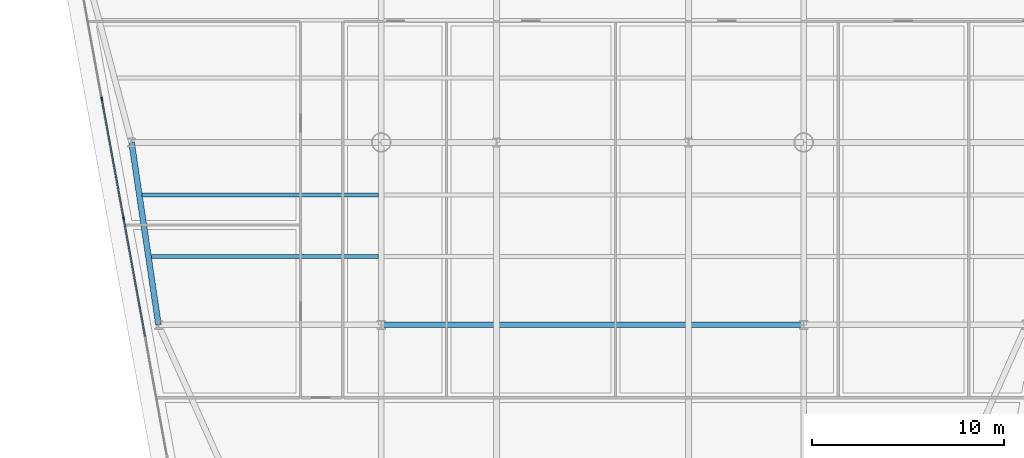
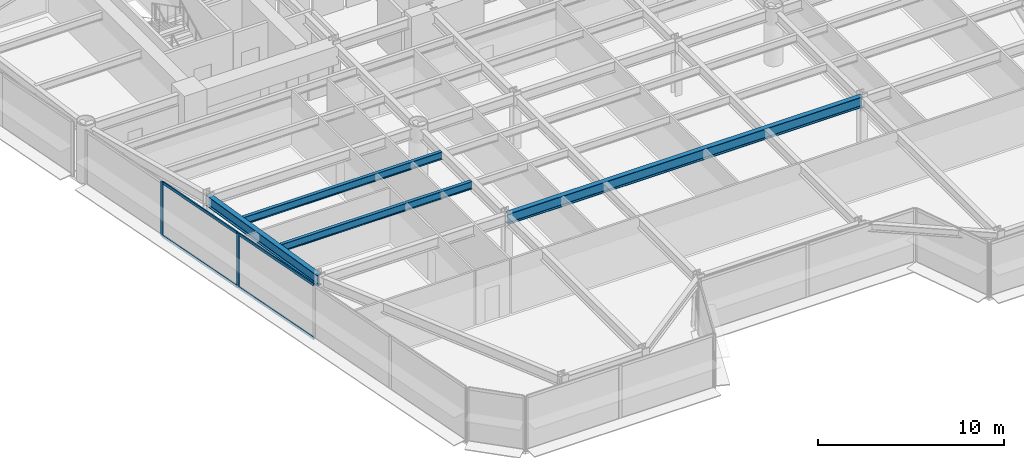
# One storey, part 3 of 15: 6 members, 4 beams, 1 element without a shape of its own.
"""IFC4 building model written with IfcOpenShell, lengths in metres."""

from ifc_helpers import new_model, si_unit, direction, frame, origin, origin_2d, place, context, subcontext, project, spatial, rectangle, i_section, extrude, source, transform, mapped, material, layer, layer_set, material_profile, profile_set, type_object, element, aggregate, save


model = new_model("IFC4")

# Units and contexts
model_context = context("Model", 3, precision=1e-05, world=origin(), true_north=direction((0.0, 1.0)))
body_context = subcontext(model_context, "Body", "Model", "MODEL_VIEW")
ifc_project = project(units=[si_unit("LENGTHUNIT", "METRE"), si_unit("AREAUNIT", "SQUARE_METRE"), si_unit("VOLUMEUNIT", "CUBIC_METRE"), si_unit("PLANEANGLEUNIT", "RADIAN"), si_unit("MASSUNIT", "GRAM", prefix="KILO")], contexts=[model_context])

# Site, building, storey
site_placement = place(None, origin())
site = spatial("IfcSite", under=ifc_project, at=site_placement, CompositionType="ELEMENT")
building_placement = place(site_placement, origin())
building = spatial("IfcBuilding", under=site, at=building_placement, Name="Vaeldorn Concourse Tower", CompositionType="ELEMENT")
storey_placement = place(building_placement, frame((0.0, 0.0, 103.39990234375)))
storey = spatial("IfcBuildingStorey", under=building, at=storey_placement, Name="L26", CompositionType="ELEMENT", Elevation=103.39990234375)

# Beams
ifc_material_1 = material(Name="Steel S355", Category="steel")
ifc_material_profile_1 = material_profile(ifc_material_1, i_section(OverallWidth=0.199951171875, OverallDepth=0.5, WebThickness=0.01025390625, FlangeThickness=0.01611328125, FilletRadius=0.02099609375, at=origin_2d()), Name="IPE 500")
ifc_profile_set_1 = profile_set([ifc_material_profile_1], Name="Steel S355")
beam_type_1 = type_object("IfcBeamType", Name="BM-JS-IPE500", PredefinedType="JOIST", material=ifc_profile_set_1)
shared_shape_1 = source(origin(), body_context, "Body", "SweptSolid", [
    extrude(i_section(OverallWidth=0.199951171875, OverallDepth=0.5, WebThickness=0.01025390625, FlangeThickness=0.01611328125, FilletRadius=0.02099609375, at=origin_2d()), origin(), (0.0, 0.0, 1.0), 11.82470703125),
])
beam_1_placement = place(storey_placement, frame((11.025390625, 21.56005859375, 3.330078125), z_axis=(1.0, 0.0, 0.0), x_axis=(0.0, 1.0, 0.0)))
element("IfcBeam", 1, at=beam_1_placement, inside=storey, type_object=beam_type_1, Name="Beam JS-L26-W1-215", PredefinedType="JOIST", context=body_context, shape_type="MappedRepresentation", body=[
    mapped(shared_shape_1, transform((0.0, 0.0, 0.0), scale=1.0)),
])
shared_shape_2 = source(origin(), body_context, "Body", "SweptSolid", [
    extrude(i_section(OverallWidth=0.199951171875, OverallDepth=0.5, WebThickness=0.01025390625, FlangeThickness=0.01611328125, FilletRadius=0.02099609375, at=origin_2d()), origin(), (0.0, 0.0, 1.0), 12.29638671875),
])
beam_2_placement = place(storey_placement, frame((10.5537109375, 24.760009765625, 3.330078125), z_axis=(1.0, 0.0, 0.0), x_axis=(0.0, 1.0, 0.0)))
element("IfcBeam", 2, at=beam_2_placement, inside=storey, type_object=beam_type_1, Name="Beam JS-L26-W1-247", PredefinedType="JOIST", context=body_context, shape_type="MappedRepresentation", body=[
    mapped(shared_shape_2, transform((0.0, 0.0, 0.0), scale=1.0)),
])
ifc_material_profile_2 = material_profile(ifc_material_1, i_section(OverallWidth=0.300048828125, OverallDepth=0.699951171875, WebThickness=0.01708984375, FlangeThickness=0.031982421875, FilletRadius=0.027099609375, at=origin_2d()), Name="HEB 700")
ifc_profile_set_2 = profile_set([ifc_material_profile_2], Name="Steel S355")
beam_type_2 = type_object("IfcBeamType", Name="BM-PG-HEB700", PredefinedType="BEAM", material=ifc_profile_set_2)
shared_shape_3 = source(origin(), body_context, "Body", "SweptSolid", [
    extrude(i_section(OverallWidth=0.300048828125, OverallDepth=0.699951171875, WebThickness=0.01708984375, FlangeThickness=0.031982421875, FilletRadius=0.027099609375, at=origin_2d()), origin(), (0.0, 0.0, 1.0), 9.6025390625),
])
beam_3_placement = place(storey_placement, frame((10.0, 27.5, 3.22998046875), z_axis=(0.145783835977, -0.989316467652, 0.0), x_axis=(0.989316467652, 0.145783835977, 0.0)))
element("IfcBeam", 3, at=beam_3_placement, inside=storey, type_object=beam_type_2, Name="Beam BM-L26-C-FLW1-C-FLW2", PredefinedType="BEAM", context=body_context, shape_type="MappedRepresentation", body=[
    mapped(shared_shape_3, transform((0.0, 0.0, 0.0), scale=1.0)),
])
shared_shape_4 = source(origin(), body_context, "Body", "SweptSolid", [
    extrude(i_section(OverallWidth=0.300048828125, OverallDepth=0.699951171875, WebThickness=0.01708984375, FlangeThickness=0.031982421875, FilletRadius=0.027099609375, at=origin_2d()), origin(), (0.0, 0.0, 1.0), 22.0),
])
beam_4_placement = place(storey_placement, frame((23.0, 18.0, 3.22998046875), z_axis=(1.0, 0.0, 0.0), x_axis=(0.0, 1.0, 0.0)))
element("IfcBeam", 4, at=beam_4_placement, inside=storey, type_object=beam_type_2, Name="Beam BM-L26-C-TW5-C-TW6", PredefinedType="BEAM", context=body_context, shape_type="MappedRepresentation", body=[
    mapped(shared_shape_4, transform((0.0, 0.0, 0.0), scale=1.0)),
])

# Curtain wall, members
ifc_material_2 = material(Name="Anodised Bronze Aluminium", Category="aluminium")
ifc_layer = layer(ifc_material_2, 0.199951171875)
ifc_layer_set = layer_set([ifc_layer], Name="Anodised Bronze Aluminium")
curtain_wall_type = type_object("IfcCurtainWallType", Name="CW-SYS-02", PredefinedType="NOTDEFINED", material=ifc_layer_set)
curtain_wall_placement = place(storey_placement, origin())
curtain_wall = element("IfcCurtainWall", 5, at=curtain_wall_placement, inside=storey, type_object=curtain_wall_type, Name="Unitised Curtain Wall CW-L26-E11-2", PredefinedType="NOTDEFINED")
ifc_material_profile_3 = material_profile(ifc_material_2, rectangle(XDim=0.074951171875, YDim=0.18994140625, at=origin_2d()), Name="CWM 75x190")
ifc_profile_set_3 = profile_set([ifc_material_profile_3], Name="Anodised Bronze Aluminium")
member_type_1 = type_object("IfcMemberType", Name="CWM-BRONZE-190", PredefinedType="MULLION", material=ifc_profile_set_3)
shared_shape_5 = source(origin(), body_context, "Body", "SweptSolid", [
    extrude(rectangle(XDim=0.074951171875, YDim=0.18994140625, at=origin_2d()), origin(), (0.0, 0.0, 1.0), 3.580078125),
])
member_1_placement = place(storey_placement, frame((8.451416015625, 29.771484375, 0.0), z_axis=(0.0, 0.0, 1.0), x_axis=(0.983779200312, 0.179383625321, 0.0)))
member_1 = element("IfcMember", 6, at=member_1_placement, type_object=member_type_1, Name="CW-02 mullion 2", PredefinedType="MULLION", context=body_context, shape_type="MappedRepresentation", body=[
    mapped(shared_shape_5, transform((0.0, 0.0, 0.0), scale=1.0)),
])
member_2_placement = place(storey_placement, frame((9.583740234375, 23.56103515625, 0.0), z_axis=(0.0, 0.0, 1.0), x_axis=(0.983779200312, 0.179383625321, 0.0)))
member_2 = element("IfcMember", 7, at=member_2_placement, type_object=member_type_1, Name="CW-02 mullion 3", PredefinedType="MULLION", context=body_context, shape_type="MappedRepresentation", body=[
    mapped(shared_shape_5, transform((0.0, 0.0, 0.0), scale=1.0)),
])
ifc_material_profile_4 = material_profile(ifc_material_2, rectangle(XDim=0.074951171875, YDim=0.179931640625, at=origin_2d()), Name="CWT 75x180")
ifc_profile_set_4 = profile_set([ifc_material_profile_4], Name="Anodised Bronze Aluminium")
member_type_2 = type_object("IfcMemberType", Name="CWT-BRONZE-180", PredefinedType="USERDEFINED", material=ifc_profile_set_4)
shared_shape_6 = source(origin(), body_context, "Body", "SweptSolid", [
    extrude(rectangle(XDim=0.074951171875, YDim=0.179931640625, at=origin_2d()), origin(), (0.0, 0.0, 1.0), 6.23779296875),
])
member_3_placement = place(storey_placement, frame((8.458251953125, 29.734619140625, 0.03759765625), z_axis=(0.17937104502, -0.983781494138, 0.0), x_axis=(0.983781494138, 0.17937104502, 0.0)))
member_3 = element("IfcMember", 8, at=member_3_placement, type_object=member_type_2, Name="CW-02 transom 2.1", ObjectType="TRANSOM", PredefinedType="USERDEFINED", context=body_context, shape_type="MappedRepresentation", body=[
    mapped(shared_shape_6, transform((0.0, 0.0, 0.0), scale=1.0)),
])
member_4_placement = place(storey_placement, frame((8.458251953125, 29.734619140625, 3.54248046875), z_axis=(0.17937104502, -0.983781494138, 0.0), x_axis=(0.983781494138, 0.17937104502, 0.0)))
member_4 = element("IfcMember", 9, at=member_4_placement, type_object=member_type_2, Name="CW-02 transom 2.2", ObjectType="TRANSOM", PredefinedType="USERDEFINED", context=body_context, shape_type="MappedRepresentation", body=[
    mapped(shared_shape_6, transform((0.0, 0.0, 0.0), scale=1.0)),
])
member_5_placement = place(storey_placement, frame((9.590576171875, 23.524169921875, 0.03759765625), z_axis=(0.17937104502, -0.983781494138, 0.0), x_axis=(0.983781494138, 0.17937104502, 0.0)))
member_5 = element("IfcMember", 10, at=member_5_placement, type_object=member_type_2, Name="CW-02 transom 3.1", ObjectType="TRANSOM", PredefinedType="USERDEFINED", context=body_context, shape_type="MappedRepresentation", body=[
    mapped(shared_shape_6, transform((0.0, 0.0, 0.0), scale=1.0)),
])
member_6_placement = place(storey_placement, frame((9.590576171875, 23.524169921875, 3.54248046875), z_axis=(0.17937104502, -0.983781494138, 0.0), x_axis=(0.983781494138, 0.17937104502, 0.0)))
member_6 = element("IfcMember", 11, at=member_6_placement, type_object=member_type_2, Name="CW-02 transom 3.2", ObjectType="TRANSOM", PredefinedType="USERDEFINED", context=body_context, shape_type="MappedRepresentation", body=[
    mapped(shared_shape_6, transform((0.0, 0.0, 0.0), scale=1.0)),
])
aggregate(curtain_wall, [member_1, member_2, member_3, member_4, member_5, member_6])

save(model, "model.ifc")
